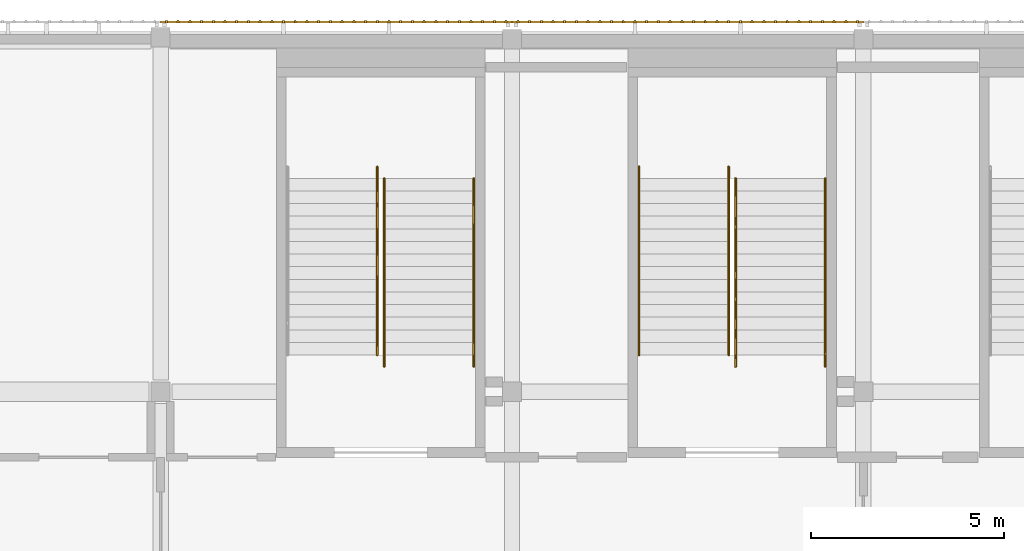
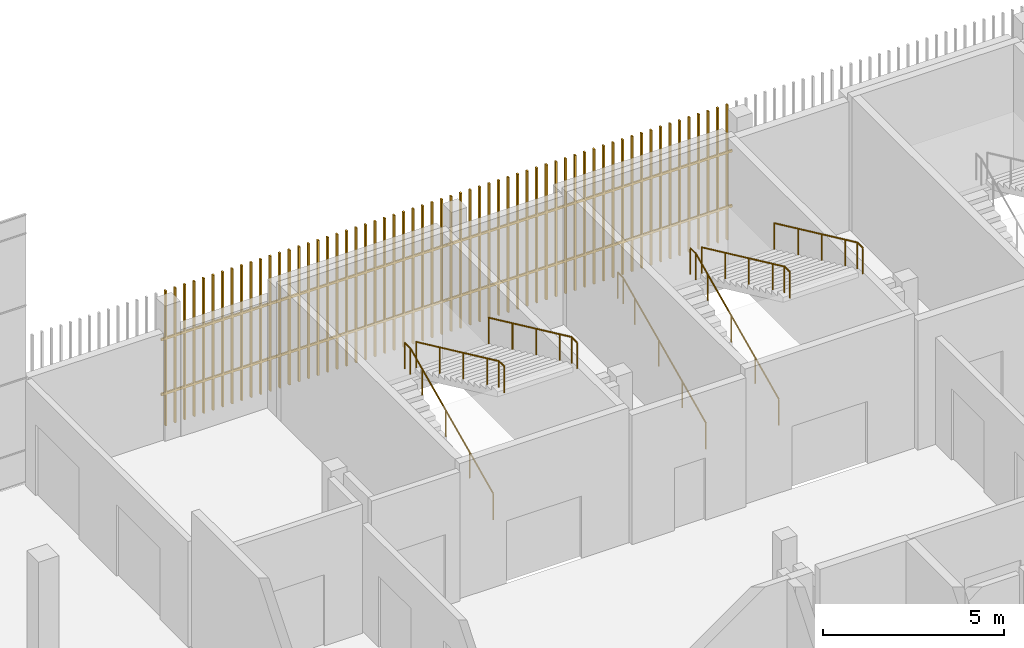
# One storey, part 82 of 91: 7 railings, 2 shading devices.
"""IFC4 building model written with IfcOpenShell, lengths in metres."""

from ifc_helpers import new_model, si_unit, direction, frame, origin, origin_2d, place, context, subcontext, project, spatial, rectangle, circle, extrude, material, type_object, element, save


model = new_model("IFC4")

# Units and contexts
model_context = context("Model", 3, precision=1e-05, world=origin(), true_north=direction((0.0, 1.0)))
body_context = subcontext(model_context, "Body", "Model", "MODEL_VIEW")
ifc_project = project(units=[si_unit("LENGTHUNIT", "METRE"), si_unit("AREAUNIT", "SQUARE_METRE"), si_unit("VOLUMEUNIT", "CUBIC_METRE"), si_unit("PLANEANGLEUNIT", "RADIAN"), si_unit("MASSUNIT", "GRAM", prefix="KILO")], contexts=[model_context])

# Site, building, storey
site_placement = place(None, origin())
site = spatial("IfcSite", under=ifc_project, at=site_placement, CompositionType="ELEMENT")
building_placement = place(site_placement, origin())
building = spatial("IfcBuilding", under=site, at=building_placement, Name="Shirokan Park Arena", CompositionType="ELEMENT")
storey_placement = place(building_placement, frame((0.0, 0.0, 24.570068359375)))
storey = spatial("IfcBuildingStorey", under=building, at=storey_placement, Name="L05", CompositionType="ELEMENT", Elevation=24.570068359375)

# Railings
ifc_material_1 = material(Name="Stainless steel", Category="steel")
railing_type = type_object("IfcRailingType", Name="Stair handrail 900", PredefinedType="HANDRAIL", material=ifc_material_1)
railing_1_placement = place(storey_placement, frame((121.590087890625, 101.050048828125, 0.151611328125)))
element("IfcRailing", 1, at=railing_1_placement, inside=storey, type_object=railing_type, Name="Handrail Exit Stair 3.C L05 to L06", PredefinedType="HANDRAIL", context=body_context, shape_type="SweptSolid", body=[
    extrude(circle(Radius=0.02392578125, at=origin_2d()), frame((0.0, 0.0, 0.8759765625), z_axis=(0.0, 0.906999720516, 0.421131222998), x_axis=(-1.0, 0.0, 0.0)), (0.0, 0.0, 1.0), 1.440673828125),
    extrude(circle(Radius=0.02392578125, at=origin_2d()), frame((0.0, 1.306640625, 1.482421875), z_axis=(0.0, 0.907029769225, 0.421066500378), x_axis=(-1.0, 0.0, 0.0)), (0.0, 0.0, 1.0), 1.44091796875),
    extrude(circle(Radius=0.02392578125, at=origin_2d()), frame((0.0, 2.613525390625, 2.08935546875), z_axis=(0.0, 0.907029769225, 0.421066500378), x_axis=(-1.0, 0.0, 0.0)), (0.0, 0.0, 1.0), 1.44091796875),
    extrude(circle(Radius=0.02392578125, at=origin_2d()), frame((0.0, 3.92041015625, 2.69580078125), z_axis=(0.0, 0.907064445915, 0.420991794405), x_axis=(-1.0, 0.0, 0.0)), (0.0, 0.0, 1.0), 0.72021484375),
    extrude(circle(Radius=0.02392578125, at=origin_2d()), frame((0.0, 4.57373046875, 2.9990234375), z_axis=(0.0, 1.0, 0.0), x_axis=(-1.0, 0.0, 0.0)), (0.0, 0.0, 1.0), 0.300048828125),
    extrude(circle(Radius=0.02099609375, at=origin_2d()), origin(), (0.0, 0.0, 1.0), 0.851806640625),
    extrude(circle(Radius=0.02099609375, at=origin_2d()), frame((0.0, 1.306640625, 0.606689453125)), (0.0, 0.0, 1.0), 0.851806640625),
    extrude(circle(Radius=0.02099609375, at=origin_2d()), frame((0.0, 2.613525390625, 1.21337890625)), (0.0, 0.0, 1.0), 0.851806640625),
    extrude(circle(Radius=0.02099609375, at=origin_2d()), frame((0.0, 3.92041015625, 1.820068359375)), (0.0, 0.0, 1.0), 0.851806640625),
    extrude(circle(Radius=0.02099609375, at=origin_2d()), frame((0.0, 4.57373046875, 2.123291015625)), (0.0, 0.0, 1.0), 0.851806640625),
    extrude(circle(Radius=0.02099609375, at=origin_2d()), frame((0.0, 4.873779296875, 2.123291015625)), (0.0, 0.0, 1.0), 0.851806640625),
])
railing_2_placement = place(storey_placement, frame((123.909912109375, 101.050048828125, 0.151611328125)))
element("IfcRailing", 2, at=railing_2_placement, inside=storey, type_object=railing_type, Name="Handrail Exit Stair 3.C L05 to L06", PredefinedType="HANDRAIL", context=body_context, shape_type="SweptSolid", body=[
    extrude(circle(Radius=0.02392578125, at=origin_2d()), frame((0.0, 0.0, 0.8759765625), z_axis=(0.0, 0.906999720516, 0.421131222998), x_axis=(-1.0, 0.0, 0.0)), (0.0, 0.0, 1.0), 1.440673828125),
    extrude(circle(Radius=0.02392578125, at=origin_2d()), frame((0.0, 1.306640625, 1.482421875), z_axis=(0.0, 0.907029769225, 0.421066500378), x_axis=(-1.0, 0.0, 0.0)), (0.0, 0.0, 1.0), 1.44091796875),
    extrude(circle(Radius=0.02392578125, at=origin_2d()), frame((0.0, 2.613525390625, 2.08935546875), z_axis=(0.0, 0.907029769225, 0.421066500378), x_axis=(-1.0, 0.0, 0.0)), (0.0, 0.0, 1.0), 1.44091796875),
    extrude(circle(Radius=0.02392578125, at=origin_2d()), frame((0.0, 3.92041015625, 2.69580078125), z_axis=(0.0, 0.907064445915, 0.420991794405), x_axis=(-1.0, 0.0, 0.0)), (0.0, 0.0, 1.0), 0.72021484375),
    extrude(circle(Radius=0.02392578125, at=origin_2d()), frame((0.0, 4.57373046875, 2.9990234375), z_axis=(0.0, 1.0, 0.0), x_axis=(-1.0, 0.0, 0.0)), (0.0, 0.0, 1.0), 0.300048828125),
    extrude(circle(Radius=0.02099609375, at=origin_2d()), origin(), (0.0, 0.0, 1.0), 0.851806640625),
    extrude(circle(Radius=0.02099609375, at=origin_2d()), frame((0.0, 1.306640625, 0.606689453125)), (0.0, 0.0, 1.0), 0.851806640625),
    extrude(circle(Radius=0.02099609375, at=origin_2d()), frame((0.0, 2.613525390625, 1.21337890625)), (0.0, 0.0, 1.0), 0.851806640625),
    extrude(circle(Radius=0.02099609375, at=origin_2d()), frame((0.0, 3.92041015625, 1.820068359375)), (0.0, 0.0, 1.0), 0.851806640625),
    extrude(circle(Radius=0.02099609375, at=origin_2d()), frame((0.0, 4.57373046875, 2.123291015625)), (0.0, 0.0, 1.0), 0.851806640625),
    extrude(circle(Radius=0.02099609375, at=origin_2d()), frame((0.0, 4.873779296875, 2.123291015625)), (0.0, 0.0, 1.0), 0.851806640625),
])
railing_3_placement = place(storey_placement, frame((124.090087890625, 105.623779296875, 2.426513671875)))
element("IfcRailing", 3, at=railing_3_placement, inside=storey, type_object=railing_type, Name="Handrail Exit Stair 3.C L05 to L06", PredefinedType="HANDRAIL", context=body_context, shape_type="SweptSolid", body=[
    extrude(circle(Radius=0.02392578125, at=origin_2d()), frame((0.0, 0.0, 0.8759765625), z_axis=(0.0, -0.907029769225, 0.421066500378), x_axis=(1.0, 0.0, 0.0)), (0.0, 0.0, 1.0), 1.44091796875),
    extrude(circle(Radius=0.02392578125, at=origin_2d()), frame((0.0, -1.306884765625, 1.482421875), z_axis=(0.0, -0.906999720516, 0.421131222998), x_axis=(1.0, 0.0, 0.0)), (0.0, 0.0, 1.0), 1.440673828125),
    extrude(circle(Radius=0.02392578125, at=origin_2d()), frame((0.0, -2.613525390625, 2.08935546875), z_axis=(0.0, -0.907029769225, 0.421066500378), x_axis=(1.0, 0.0, 0.0)), (0.0, 0.0, 1.0), 1.44091796875),
    extrude(circle(Radius=0.02392578125, at=origin_2d()), frame((0.0, -3.92041015625, 2.69580078125), z_axis=(0.0, -0.906934982928, 0.421270621741), x_axis=(1.0, 0.0, 0.0)), (0.0, 0.0, 1.0), 0.720458984375),
    extrude(circle(Radius=0.02392578125, at=origin_2d()), frame((0.0, -4.57373046875, 2.99951171875), z_axis=(0.0, -1.0, 0.0), x_axis=(1.0, 0.0, 0.0)), (0.0, 0.0, 1.0), 0.300048828125),
    extrude(circle(Radius=0.02099609375, at=origin_2d()), origin(), (0.0, 0.0, 1.0), 0.851806640625),
    extrude(circle(Radius=0.02099609375, at=origin_2d()), frame((0.0, -1.306884765625, 0.606689453125)), (0.0, 0.0, 1.0), 0.851806640625),
    extrude(circle(Radius=0.02099609375, at=origin_2d()), frame((0.0, -2.613525390625, 1.21337890625)), (0.0, 0.0, 1.0), 0.851806640625),
    extrude(circle(Radius=0.02099609375, at=origin_2d()), frame((0.0, -3.92041015625, 1.820068359375)), (0.0, 0.0, 1.0), 0.851806640625),
    extrude(circle(Radius=0.02099609375, at=origin_2d()), frame((0.0, -4.57373046875, 2.12353515625)), (0.0, 0.0, 1.0), 0.851806640625),
    extrude(circle(Radius=0.02099609375, at=origin_2d()), frame((0.0, -4.873779296875, 2.12353515625)), (0.0, 0.0, 1.0), 0.851806640625),
])
railing_4_placement = place(storey_placement, frame((126.409912109375, 105.623779296875, 2.426513671875)))
element("IfcRailing", 4, at=railing_4_placement, inside=storey, type_object=railing_type, Name="Handrail Exit Stair 3.C L05 to L06", PredefinedType="HANDRAIL", context=body_context, shape_type="SweptSolid", body=[
    extrude(circle(Radius=0.02392578125, at=origin_2d()), frame((0.0, 0.0, 0.8759765625), z_axis=(0.0, -0.907029769225, 0.421066500378), x_axis=(1.0, 0.0, 0.0)), (0.0, 0.0, 1.0), 1.44091796875),
    extrude(circle(Radius=0.02392578125, at=origin_2d()), frame((0.0, -1.306884765625, 1.482421875), z_axis=(0.0, -0.906999720516, 0.421131222998), x_axis=(1.0, 0.0, 0.0)), (0.0, 0.0, 1.0), 1.440673828125),
    extrude(circle(Radius=0.02392578125, at=origin_2d()), frame((0.0, -2.613525390625, 2.08935546875), z_axis=(0.0, -0.907029769225, 0.421066500378), x_axis=(1.0, 0.0, 0.0)), (0.0, 0.0, 1.0), 1.44091796875),
    extrude(circle(Radius=0.02392578125, at=origin_2d()), frame((0.0, -3.92041015625, 2.69580078125), z_axis=(0.0, -0.906934982928, 0.421270621741), x_axis=(1.0, 0.0, 0.0)), (0.0, 0.0, 1.0), 0.720458984375),
    extrude(circle(Radius=0.02392578125, at=origin_2d()), frame((0.0, -4.57373046875, 2.99951171875), z_axis=(0.0, -1.0, 0.0), x_axis=(1.0, 0.0, 0.0)), (0.0, 0.0, 1.0), 0.300048828125),
    extrude(circle(Radius=0.02099609375, at=origin_2d()), origin(), (0.0, 0.0, 1.0), 0.851806640625),
    extrude(circle(Radius=0.02099609375, at=origin_2d()), frame((0.0, -1.306884765625, 0.606689453125)), (0.0, 0.0, 1.0), 0.851806640625),
    extrude(circle(Radius=0.02099609375, at=origin_2d()), frame((0.0, -2.613525390625, 1.21337890625)), (0.0, 0.0, 1.0), 0.851806640625),
    extrude(circle(Radius=0.02099609375, at=origin_2d()), frame((0.0, -3.92041015625, 1.820068359375)), (0.0, 0.0, 1.0), 0.851806640625),
    extrude(circle(Radius=0.02099609375, at=origin_2d()), frame((0.0, -4.57373046875, 2.12353515625)), (0.0, 0.0, 1.0), 0.851806640625),
    extrude(circle(Radius=0.02099609375, at=origin_2d()), frame((0.0, -4.873779296875, 2.12353515625)), (0.0, 0.0, 1.0), 0.851806640625),
])
railing_5_placement = place(storey_placement, frame((114.81005859375, 101.050048828125, 0.151611328125)))
element("IfcRailing", 5, at=railing_5_placement, inside=storey, type_object=railing_type, Name="Handrail Exit Stair 3.D L05 to L06", PredefinedType="HANDRAIL", context=body_context, shape_type="SweptSolid", body=[
    extrude(circle(Radius=0.02392578125, at=origin_2d()), frame((0.0, 0.0, 0.8759765625), z_axis=(0.0, 0.906999720516, 0.421131222998), x_axis=(-1.0, 0.0, 0.0)), (0.0, 0.0, 1.0), 1.440673828125),
    extrude(circle(Radius=0.02392578125, at=origin_2d()), frame((0.0, 1.306640625, 1.482421875), z_axis=(0.0, 0.907029769225, 0.421066500378), x_axis=(-1.0, 0.0, 0.0)), (0.0, 0.0, 1.0), 1.44091796875),
    extrude(circle(Radius=0.02392578125, at=origin_2d()), frame((0.0, 2.613525390625, 2.08935546875), z_axis=(0.0, 0.907029769225, 0.421066500378), x_axis=(-1.0, 0.0, 0.0)), (0.0, 0.0, 1.0), 1.44091796875),
    extrude(circle(Radius=0.02392578125, at=origin_2d()), frame((0.0, 3.92041015625, 2.69580078125), z_axis=(0.0, 0.907064445915, 0.420991794405), x_axis=(-1.0, 0.0, 0.0)), (0.0, 0.0, 1.0), 0.72021484375),
    extrude(circle(Radius=0.02392578125, at=origin_2d()), frame((0.0, 4.57373046875, 2.9990234375), z_axis=(0.0, 1.0, 0.0), x_axis=(-1.0, 0.0, 0.0)), (0.0, 0.0, 1.0), 0.300048828125),
    extrude(circle(Radius=0.02099609375, at=origin_2d()), origin(), (0.0, 0.0, 1.0), 0.851806640625),
    extrude(circle(Radius=0.02099609375, at=origin_2d()), frame((0.0, 1.306640625, 0.606689453125)), (0.0, 0.0, 1.0), 0.851806640625),
    extrude(circle(Radius=0.02099609375, at=origin_2d()), frame((0.0, 2.613525390625, 1.21337890625)), (0.0, 0.0, 1.0), 0.851806640625),
    extrude(circle(Radius=0.02099609375, at=origin_2d()), frame((0.0, 3.92041015625, 1.820068359375)), (0.0, 0.0, 1.0), 0.851806640625),
    extrude(circle(Radius=0.02099609375, at=origin_2d()), frame((0.0, 4.57373046875, 2.123291015625)), (0.0, 0.0, 1.0), 0.851806640625),
    extrude(circle(Radius=0.02099609375, at=origin_2d()), frame((0.0, 4.873779296875, 2.123291015625)), (0.0, 0.0, 1.0), 0.851806640625),
])
railing_6_placement = place(storey_placement, frame((114.989990234375, 105.623779296875, 2.426513671875)))
element("IfcRailing", 6, at=railing_6_placement, inside=storey, type_object=railing_type, Name="Handrail Exit Stair 3.D L05 to L06", PredefinedType="HANDRAIL", context=body_context, shape_type="SweptSolid", body=[
    extrude(circle(Radius=0.02392578125, at=origin_2d()), frame((0.0, 0.0, 0.8759765625), z_axis=(0.0, -0.907029769225, 0.421066500378), x_axis=(1.0, 0.0, 0.0)), (0.0, 0.0, 1.0), 1.44091796875),
    extrude(circle(Radius=0.02392578125, at=origin_2d()), frame((0.0, -1.306884765625, 1.482421875), z_axis=(0.0, -0.906999720516, 0.421131222998), x_axis=(1.0, 0.0, 0.0)), (0.0, 0.0, 1.0), 1.440673828125),
    extrude(circle(Radius=0.02392578125, at=origin_2d()), frame((0.0, -2.613525390625, 2.08935546875), z_axis=(0.0, -0.907029769225, 0.421066500378), x_axis=(1.0, 0.0, 0.0)), (0.0, 0.0, 1.0), 1.44091796875),
    extrude(circle(Radius=0.02392578125, at=origin_2d()), frame((0.0, -3.92041015625, 2.69580078125), z_axis=(0.0, -0.906934982928, 0.421270621741), x_axis=(1.0, 0.0, 0.0)), (0.0, 0.0, 1.0), 0.720458984375),
    extrude(circle(Radius=0.02392578125, at=origin_2d()), frame((0.0, -4.57373046875, 2.99951171875), z_axis=(0.0, -1.0, 0.0), x_axis=(1.0, 0.0, 0.0)), (0.0, 0.0, 1.0), 0.300048828125),
    extrude(circle(Radius=0.02099609375, at=origin_2d()), origin(), (0.0, 0.0, 1.0), 0.851806640625),
    extrude(circle(Radius=0.02099609375, at=origin_2d()), frame((0.0, -1.306884765625, 0.606689453125)), (0.0, 0.0, 1.0), 0.851806640625),
    extrude(circle(Radius=0.02099609375, at=origin_2d()), frame((0.0, -2.613525390625, 1.21337890625)), (0.0, 0.0, 1.0), 0.851806640625),
    extrude(circle(Radius=0.02099609375, at=origin_2d()), frame((0.0, -3.92041015625, 1.820068359375)), (0.0, 0.0, 1.0), 0.851806640625),
    extrude(circle(Radius=0.02099609375, at=origin_2d()), frame((0.0, -4.57373046875, 2.12353515625)), (0.0, 0.0, 1.0), 0.851806640625),
    extrude(circle(Radius=0.02099609375, at=origin_2d()), frame((0.0, -4.873779296875, 2.12353515625)), (0.0, 0.0, 1.0), 0.851806640625),
])
railing_7_placement = place(storey_placement, frame((117.31005859375, 105.623779296875, 2.426513671875)))
element("IfcRailing", 7, at=railing_7_placement, inside=storey, type_object=railing_type, Name="Handrail Exit Stair 3.D L05 to L06", PredefinedType="HANDRAIL", context=body_context, shape_type="SweptSolid", body=[
    extrude(circle(Radius=0.02392578125, at=origin_2d()), frame((0.0, 0.0, 0.8759765625), z_axis=(0.0, -0.907029769225, 0.421066500378), x_axis=(1.0, 0.0, 0.0)), (0.0, 0.0, 1.0), 1.44091796875),
    extrude(circle(Radius=0.02392578125, at=origin_2d()), frame((0.0, -1.306884765625, 1.482421875), z_axis=(0.0, -0.906999720516, 0.421131222998), x_axis=(1.0, 0.0, 0.0)), (0.0, 0.0, 1.0), 1.440673828125),
    extrude(circle(Radius=0.02392578125, at=origin_2d()), frame((0.0, -2.613525390625, 2.08935546875), z_axis=(0.0, -0.907029769225, 0.421066500378), x_axis=(1.0, 0.0, 0.0)), (0.0, 0.0, 1.0), 1.44091796875),
    extrude(circle(Radius=0.02392578125, at=origin_2d()), frame((0.0, -3.92041015625, 2.69580078125), z_axis=(0.0, -0.906934982928, 0.421270621741), x_axis=(1.0, 0.0, 0.0)), (0.0, 0.0, 1.0), 0.720458984375),
    extrude(circle(Radius=0.02392578125, at=origin_2d()), frame((0.0, -4.57373046875, 2.99951171875), z_axis=(0.0, -1.0, 0.0), x_axis=(1.0, 0.0, 0.0)), (0.0, 0.0, 1.0), 0.300048828125),
    extrude(circle(Radius=0.02099609375, at=origin_2d()), origin(), (0.0, 0.0, 1.0), 0.851806640625),
    extrude(circle(Radius=0.02099609375, at=origin_2d()), frame((0.0, -1.306884765625, 0.606689453125)), (0.0, 0.0, 1.0), 0.851806640625),
    extrude(circle(Radius=0.02099609375, at=origin_2d()), frame((0.0, -2.613525390625, 1.21337890625)), (0.0, 0.0, 1.0), 0.851806640625),
    extrude(circle(Radius=0.02099609375, at=origin_2d()), frame((0.0, -3.92041015625, 1.820068359375)), (0.0, 0.0, 1.0), 0.851806640625),
    extrude(circle(Radius=0.02099609375, at=origin_2d()), frame((0.0, -4.57373046875, 2.12353515625)), (0.0, 0.0, 1.0), 0.851806640625),
    extrude(circle(Radius=0.02099609375, at=origin_2d()), frame((0.0, -4.873779296875, 2.12353515625)), (0.0, 0.0, 1.0), 0.851806640625),
])

# Shading devices
ifc_material_2 = material(Name="Timber louvre veil (cedar)", Category="wood")
shading_device_type = type_object("IfcShadingDeviceType", Name="Timber louvre veil panel", PredefinedType="JALOUSIE", material=ifc_material_2)
shading_device_1_placement = place(storey_placement, origin())
element("IfcShadingDevice", 8, at=shading_device_1_placement, inside=storey, type_object=shading_device_type, Name="Timber louvre veil north bay 3 L05", PredefinedType="JALOUSIE", context=body_context, shape_type="SweptSolid", body=[
    extrude(rectangle(XDim=0.050048828125, YDim=0.080078125, at=origin_2d()), frame((127.248291015625, 109.68505859375, 0.0), z_axis=(0.0, 0.0, 1.0), x_axis=(-1.0, 0.0, 0.0)), (0.0, 0.0, 1.0), 4.550048828125),
    extrude(rectangle(XDim=0.050048828125, YDim=0.080078125, at=origin_2d()), frame((126.945068359375, 109.68505859375, 0.0), z_axis=(0.0, 0.0, 1.0), x_axis=(-1.0, 0.0, 0.0)), (0.0, 0.0, 1.0), 4.550048828125),
    extrude(rectangle(XDim=0.050048828125, YDim=0.080078125, at=origin_2d()), frame((126.6416015625, 109.68505859375, 0.0), z_axis=(0.0, 0.0, 1.0), x_axis=(-1.0, 0.0, 0.0)), (0.0, 0.0, 1.0), 4.550048828125),
    extrude(rectangle(XDim=0.050048828125, YDim=0.080078125, at=origin_2d()), frame((126.33837890625, 109.68505859375, 0.0), z_axis=(0.0, 0.0, 1.0), x_axis=(-1.0, 0.0, 0.0)), (0.0, 0.0, 1.0), 4.550048828125),
    extrude(rectangle(XDim=0.050048828125, YDim=0.080078125, at=origin_2d()), frame((126.034912109375, 109.68505859375, 0.0), z_axis=(0.0, 0.0, 1.0), x_axis=(-1.0, 0.0, 0.0)), (0.0, 0.0, 1.0), 4.550048828125),
    extrude(rectangle(XDim=0.050048828125, YDim=0.080078125, at=origin_2d()), frame((125.731689453125, 109.68505859375, 0.0), z_axis=(0.0, 0.0, 1.0), x_axis=(-1.0, 0.0, 0.0)), (0.0, 0.0, 1.0), 4.550048828125),
    extrude(rectangle(XDim=0.050048828125, YDim=0.080078125, at=origin_2d()), frame((125.42822265625, 109.68505859375, 0.0), z_axis=(0.0, 0.0, 1.0), x_axis=(-1.0, 0.0, 0.0)), (0.0, 0.0, 1.0), 4.550048828125),
    extrude(rectangle(XDim=0.050048828125, YDim=0.080078125, at=origin_2d()), frame((125.125, 109.68505859375, 0.0), z_axis=(0.0, 0.0, 1.0), x_axis=(-1.0, 0.0, 0.0)), (0.0, 0.0, 1.0), 4.550048828125),
    extrude(rectangle(XDim=0.050048828125, YDim=0.080078125, at=origin_2d()), frame((124.82177734375, 109.68505859375, 0.0), z_axis=(0.0, 0.0, 1.0), x_axis=(-1.0, 0.0, 0.0)), (0.0, 0.0, 1.0), 4.550048828125),
    extrude(rectangle(XDim=0.050048828125, YDim=0.080078125, at=origin_2d()), frame((124.518310546875, 109.68505859375, 0.0), z_axis=(0.0, 0.0, 1.0), x_axis=(-1.0, 0.0, 0.0)), (0.0, 0.0, 1.0), 4.550048828125),
    extrude(rectangle(XDim=0.050048828125, YDim=0.080078125, at=origin_2d()), frame((124.215087890625, 109.68505859375, 0.0), z_axis=(0.0, 0.0, 1.0), x_axis=(-1.0, 0.0, 0.0)), (0.0, 0.0, 1.0), 4.550048828125),
    extrude(rectangle(XDim=0.050048828125, YDim=0.080078125, at=origin_2d()), frame((123.91162109375, 109.68505859375, 0.0), z_axis=(0.0, 0.0, 1.0), x_axis=(-1.0, 0.0, 0.0)), (0.0, 0.0, 1.0), 4.550048828125),
    extrude(rectangle(XDim=0.050048828125, YDim=0.080078125, at=origin_2d()), frame((123.6083984375, 109.68505859375, 0.0), z_axis=(0.0, 0.0, 1.0), x_axis=(-1.0, 0.0, 0.0)), (0.0, 0.0, 1.0), 4.550048828125),
    extrude(rectangle(XDim=0.050048828125, YDim=0.080078125, at=origin_2d()), frame((123.304931640625, 109.68505859375, 0.0), z_axis=(0.0, 0.0, 1.0), x_axis=(-1.0, 0.0, 0.0)), (0.0, 0.0, 1.0), 4.550048828125),
    extrude(rectangle(XDim=0.050048828125, YDim=0.080078125, at=origin_2d()), frame((123.001708984375, 109.68505859375, 0.0), z_axis=(0.0, 0.0, 1.0), x_axis=(-1.0, 0.0, 0.0)), (0.0, 0.0, 1.0), 4.550048828125),
    extrude(rectangle(XDim=0.050048828125, YDim=0.080078125, at=origin_2d()), frame((122.6982421875, 109.68505859375, 0.0), z_axis=(0.0, 0.0, 1.0), x_axis=(-1.0, 0.0, 0.0)), (0.0, 0.0, 1.0), 4.550048828125),
    extrude(rectangle(XDim=0.050048828125, YDim=0.080078125, at=origin_2d()), frame((122.39501953125, 109.68505859375, 0.0), z_axis=(0.0, 0.0, 1.0), x_axis=(-1.0, 0.0, 0.0)), (0.0, 0.0, 1.0), 4.550048828125),
    extrude(rectangle(XDim=0.050048828125, YDim=0.080078125, at=origin_2d()), frame((122.091552734375, 109.68505859375, 0.0), z_axis=(0.0, 0.0, 1.0), x_axis=(-1.0, 0.0, 0.0)), (0.0, 0.0, 1.0), 4.550048828125),
    extrude(rectangle(XDim=0.050048828125, YDim=0.080078125, at=origin_2d()), frame((121.788330078125, 109.68505859375, 0.0), z_axis=(0.0, 0.0, 1.0), x_axis=(-1.0, 0.0, 0.0)), (0.0, 0.0, 1.0), 4.550048828125),
    extrude(rectangle(XDim=0.050048828125, YDim=0.080078125, at=origin_2d()), frame((121.485107421875, 109.68505859375, 0.0), z_axis=(0.0, 0.0, 1.0), x_axis=(-1.0, 0.0, 0.0)), (0.0, 0.0, 1.0), 4.550048828125),
    extrude(rectangle(XDim=0.050048828125, YDim=0.080078125, at=origin_2d()), frame((121.181640625, 109.68505859375, 0.0), z_axis=(0.0, 0.0, 1.0), x_axis=(-1.0, 0.0, 0.0)), (0.0, 0.0, 1.0), 4.550048828125),
    extrude(rectangle(XDim=0.050048828125, YDim=0.080078125, at=origin_2d()), frame((120.87841796875, 109.68505859375, 0.0), z_axis=(0.0, 0.0, 1.0), x_axis=(-1.0, 0.0, 0.0)), (0.0, 0.0, 1.0), 4.550048828125),
    extrude(rectangle(XDim=0.050048828125, YDim=0.080078125, at=origin_2d()), frame((120.574951171875, 109.68505859375, 0.0), z_axis=(0.0, 0.0, 1.0), x_axis=(-1.0, 0.0, 0.0)), (0.0, 0.0, 1.0), 4.550048828125),
    extrude(rectangle(XDim=0.050048828125, YDim=0.080078125, at=origin_2d()), frame((120.271728515625, 109.68505859375, 0.0), z_axis=(0.0, 0.0, 1.0), x_axis=(-1.0, 0.0, 0.0)), (0.0, 0.0, 1.0), 4.550048828125),
    extrude(rectangle(XDim=0.050048828125, YDim=0.080078125, at=origin_2d()), frame((119.96826171875, 109.68505859375, 0.0), z_axis=(0.0, 0.0, 1.0), x_axis=(-1.0, 0.0, 0.0)), (0.0, 0.0, 1.0), 4.550048828125),
    extrude(rectangle(XDim=0.050048828125, YDim=0.080078125, at=origin_2d()), frame((119.6650390625, 109.68505859375, 0.0), z_axis=(0.0, 0.0, 1.0), x_axis=(-1.0, 0.0, 0.0)), (0.0, 0.0, 1.0), 4.550048828125),
    extrude(rectangle(XDim=0.050048828125, YDim=0.080078125, at=origin_2d()), frame((119.361572265625, 109.68505859375, 0.0), z_axis=(0.0, 0.0, 1.0), x_axis=(-1.0, 0.0, 0.0)), (0.0, 0.0, 1.0), 4.550048828125),
    extrude(rectangle(XDim=0.050048828125, YDim=0.080078125, at=origin_2d()), frame((119.058349609375, 109.68505859375, 0.0), z_axis=(0.0, 0.0, 1.0), x_axis=(-1.0, 0.0, 0.0)), (0.0, 0.0, 1.0), 4.550048828125),
    extrude(rectangle(XDim=0.050048828125, YDim=0.080078125, at=origin_2d()), frame((118.7548828125, 109.68505859375, 0.0), z_axis=(0.0, 0.0, 1.0), x_axis=(-1.0, 0.0, 0.0)), (0.0, 0.0, 1.0), 4.550048828125),
    extrude(rectangle(XDim=0.050048828125, YDim=0.080078125, at=origin_2d()), frame((118.45166015625, 109.68505859375, 0.0), z_axis=(0.0, 0.0, 1.0), x_axis=(-1.0, 0.0, 0.0)), (0.0, 0.0, 1.0), 4.550048828125),
    extrude(rectangle(XDim=9.10009765625, YDim=0.050048828125, at=origin_2d()), frame((122.85009765625, 109.669921875, 1.059814453125), z_axis=(0.0, 0.0, 1.0), x_axis=(-1.0, 0.0, 0.0)), (0.0, 0.0, 1.0), 0.080078125),
    extrude(rectangle(XDim=9.10009765625, YDim=0.050048828125, at=origin_2d()), frame((122.85009765625, 109.669921875, 2.909912109375), z_axis=(0.0, 0.0, 1.0), x_axis=(-1.0, 0.0, 0.0)), (0.0, 0.0, 1.0), 0.080078125),
])
shading_device_2_placement = place(storey_placement, origin())
element("IfcShadingDevice", 9, at=shading_device_2_placement, inside=storey, type_object=shading_device_type, Name="Timber louvre veil north bay 4 L05", PredefinedType="JALOUSIE", context=body_context, shape_type="SweptSolid", body=[
    extrude(rectangle(XDim=0.050048828125, YDim=0.080078125, at=origin_2d()), frame((118.1484375, 109.68505859375, 0.0), z_axis=(0.0, 0.0, 1.0), x_axis=(-1.0, 0.0, 0.0)), (0.0, 0.0, 1.0), 4.550048828125),
    extrude(rectangle(XDim=0.050048828125, YDim=0.080078125, at=origin_2d()), frame((117.844970703125, 109.68505859375, 0.0), z_axis=(0.0, 0.0, 1.0), x_axis=(-1.0, 0.0, 0.0)), (0.0, 0.0, 1.0), 4.550048828125),
    extrude(rectangle(XDim=0.050048828125, YDim=0.080078125, at=origin_2d()), frame((117.541748046875, 109.68505859375, 0.0), z_axis=(0.0, 0.0, 1.0), x_axis=(-1.0, 0.0, 0.0)), (0.0, 0.0, 1.0), 4.550048828125),
    extrude(rectangle(XDim=0.050048828125, YDim=0.080078125, at=origin_2d()), frame((117.23828125, 109.68505859375, 0.0), z_axis=(0.0, 0.0, 1.0), x_axis=(-1.0, 0.0, 0.0)), (0.0, 0.0, 1.0), 4.550048828125),
    extrude(rectangle(XDim=0.050048828125, YDim=0.080078125, at=origin_2d()), frame((116.93505859375, 109.68505859375, 0.0), z_axis=(0.0, 0.0, 1.0), x_axis=(-1.0, 0.0, 0.0)), (0.0, 0.0, 1.0), 4.550048828125),
    extrude(rectangle(XDim=0.050048828125, YDim=0.080078125, at=origin_2d()), frame((116.631591796875, 109.68505859375, 0.0), z_axis=(0.0, 0.0, 1.0), x_axis=(-1.0, 0.0, 0.0)), (0.0, 0.0, 1.0), 4.550048828125),
    extrude(rectangle(XDim=0.050048828125, YDim=0.080078125, at=origin_2d()), frame((116.328369140625, 109.68505859375, 0.0), z_axis=(0.0, 0.0, 1.0), x_axis=(-1.0, 0.0, 0.0)), (0.0, 0.0, 1.0), 4.550048828125),
    extrude(rectangle(XDim=0.050048828125, YDim=0.080078125, at=origin_2d()), frame((116.02490234375, 109.68505859375, 0.0), z_axis=(0.0, 0.0, 1.0), x_axis=(-1.0, 0.0, 0.0)), (0.0, 0.0, 1.0), 4.550048828125),
    extrude(rectangle(XDim=0.050048828125, YDim=0.080078125, at=origin_2d()), frame((115.7216796875, 109.68505859375, 0.0), z_axis=(0.0, 0.0, 1.0), x_axis=(-1.0, 0.0, 0.0)), (0.0, 0.0, 1.0), 4.550048828125),
    extrude(rectangle(XDim=0.050048828125, YDim=0.080078125, at=origin_2d()), frame((115.418212890625, 109.68505859375, 0.0), z_axis=(0.0, 0.0, 1.0), x_axis=(-1.0, 0.0, 0.0)), (0.0, 0.0, 1.0), 4.550048828125),
    extrude(rectangle(XDim=0.050048828125, YDim=0.080078125, at=origin_2d()), frame((115.114990234375, 109.68505859375, 0.0), z_axis=(0.0, 0.0, 1.0), x_axis=(-1.0, 0.0, 0.0)), (0.0, 0.0, 1.0), 4.550048828125),
    extrude(rectangle(XDim=0.050048828125, YDim=0.080078125, at=origin_2d()), frame((114.811767578125, 109.68505859375, 0.0), z_axis=(0.0, 0.0, 1.0), x_axis=(-1.0, 0.0, 0.0)), (0.0, 0.0, 1.0), 4.550048828125),
    extrude(rectangle(XDim=0.050048828125, YDim=0.080078125, at=origin_2d()), frame((114.50830078125, 109.68505859375, 0.0), z_axis=(0.0, 0.0, 1.0), x_axis=(-1.0, 0.0, 0.0)), (0.0, 0.0, 1.0), 4.550048828125),
    extrude(rectangle(XDim=0.050048828125, YDim=0.080078125, at=origin_2d()), frame((114.205078125, 109.68505859375, 0.0), z_axis=(0.0, 0.0, 1.0), x_axis=(-1.0, 0.0, 0.0)), (0.0, 0.0, 1.0), 4.550048828125),
    extrude(rectangle(XDim=0.050048828125, YDim=0.080078125, at=origin_2d()), frame((113.901611328125, 109.68505859375, 0.0), z_axis=(0.0, 0.0, 1.0), x_axis=(-1.0, 0.0, 0.0)), (0.0, 0.0, 1.0), 4.550048828125),
    extrude(rectangle(XDim=0.050048828125, YDim=0.080078125, at=origin_2d()), frame((113.598388671875, 109.68505859375, 0.0), z_axis=(0.0, 0.0, 1.0), x_axis=(-1.0, 0.0, 0.0)), (0.0, 0.0, 1.0), 4.550048828125),
    extrude(rectangle(XDim=0.050048828125, YDim=0.080078125, at=origin_2d()), frame((113.294921875, 109.68505859375, 0.0), z_axis=(0.0, 0.0, 1.0), x_axis=(-1.0, 0.0, 0.0)), (0.0, 0.0, 1.0), 4.550048828125),
    extrude(rectangle(XDim=0.050048828125, YDim=0.080078125, at=origin_2d()), frame((112.99169921875, 109.68505859375, 0.0), z_axis=(0.0, 0.0, 1.0), x_axis=(-1.0, 0.0, 0.0)), (0.0, 0.0, 1.0), 4.550048828125),
    extrude(rectangle(XDim=0.050048828125, YDim=0.080078125, at=origin_2d()), frame((112.688232421875, 109.68505859375, 0.0), z_axis=(0.0, 0.0, 1.0), x_axis=(-1.0, 0.0, 0.0)), (0.0, 0.0, 1.0), 4.550048828125),
    extrude(rectangle(XDim=0.050048828125, YDim=0.080078125, at=origin_2d()), frame((112.385009765625, 109.68505859375, 0.0), z_axis=(0.0, 0.0, 1.0), x_axis=(-1.0, 0.0, 0.0)), (0.0, 0.0, 1.0), 4.550048828125),
    extrude(rectangle(XDim=0.050048828125, YDim=0.080078125, at=origin_2d()), frame((112.081787109375, 109.68505859375, 0.0), z_axis=(0.0, 0.0, 1.0), x_axis=(-1.0, 0.0, 0.0)), (0.0, 0.0, 1.0), 4.550048828125),
    extrude(rectangle(XDim=0.050048828125, YDim=0.080078125, at=origin_2d()), frame((111.7783203125, 109.68505859375, 0.0), z_axis=(0.0, 0.0, 1.0), x_axis=(-1.0, 0.0, 0.0)), (0.0, 0.0, 1.0), 4.550048828125),
    extrude(rectangle(XDim=0.050048828125, YDim=0.080078125, at=origin_2d()), frame((111.47509765625, 109.68505859375, 0.0), z_axis=(0.0, 0.0, 1.0), x_axis=(-1.0, 0.0, 0.0)), (0.0, 0.0, 1.0), 4.550048828125),
    extrude(rectangle(XDim=0.050048828125, YDim=0.080078125, at=origin_2d()), frame((111.171630859375, 109.68505859375, 0.0), z_axis=(0.0, 0.0, 1.0), x_axis=(-1.0, 0.0, 0.0)), (0.0, 0.0, 1.0), 4.550048828125),
    extrude(rectangle(XDim=0.050048828125, YDim=0.080078125, at=origin_2d()), frame((110.868408203125, 109.68505859375, 0.0), z_axis=(0.0, 0.0, 1.0), x_axis=(-1.0, 0.0, 0.0)), (0.0, 0.0, 1.0), 4.550048828125),
    extrude(rectangle(XDim=0.050048828125, YDim=0.080078125, at=origin_2d()), frame((110.56494140625, 109.68505859375, 0.0), z_axis=(0.0, 0.0, 1.0), x_axis=(-1.0, 0.0, 0.0)), (0.0, 0.0, 1.0), 4.550048828125),
    extrude(rectangle(XDim=0.050048828125, YDim=0.080078125, at=origin_2d()), frame((110.26171875, 109.68505859375, 0.0), z_axis=(0.0, 0.0, 1.0), x_axis=(-1.0, 0.0, 0.0)), (0.0, 0.0, 1.0), 4.550048828125),
    extrude(rectangle(XDim=0.050048828125, YDim=0.080078125, at=origin_2d()), frame((109.958251953125, 109.68505859375, 0.0), z_axis=(0.0, 0.0, 1.0), x_axis=(-1.0, 0.0, 0.0)), (0.0, 0.0, 1.0), 4.550048828125),
    extrude(rectangle(XDim=0.050048828125, YDim=0.080078125, at=origin_2d()), frame((109.655029296875, 109.68505859375, 0.0), z_axis=(0.0, 0.0, 1.0), x_axis=(-1.0, 0.0, 0.0)), (0.0, 0.0, 1.0), 4.550048828125),
    extrude(rectangle(XDim=0.050048828125, YDim=0.080078125, at=origin_2d()), frame((109.3515625, 109.68505859375, 0.0), z_axis=(0.0, 0.0, 1.0), x_axis=(-1.0, 0.0, 0.0)), (0.0, 0.0, 1.0), 4.550048828125),
    extrude(rectangle(XDim=9.10009765625, YDim=0.050048828125, at=origin_2d()), frame((113.75, 109.669921875, 1.059814453125), z_axis=(0.0, 0.0, 1.0), x_axis=(-1.0, 0.0, 0.0)), (0.0, 0.0, 1.0), 0.080078125),
    extrude(rectangle(XDim=9.10009765625, YDim=0.050048828125, at=origin_2d()), frame((113.75, 109.669921875, 2.909912109375), z_axis=(0.0, 0.0, 1.0), x_axis=(-1.0, 0.0, 0.0)), (0.0, 0.0, 1.0), 0.080078125),
])

save(model, "model.ifc")
